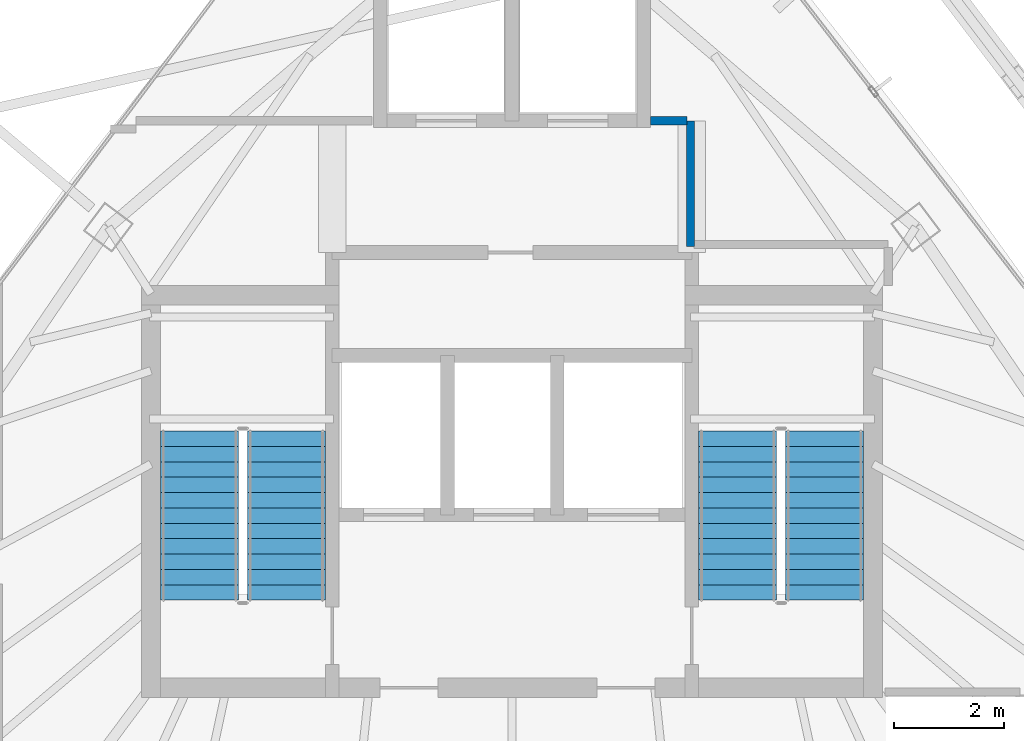
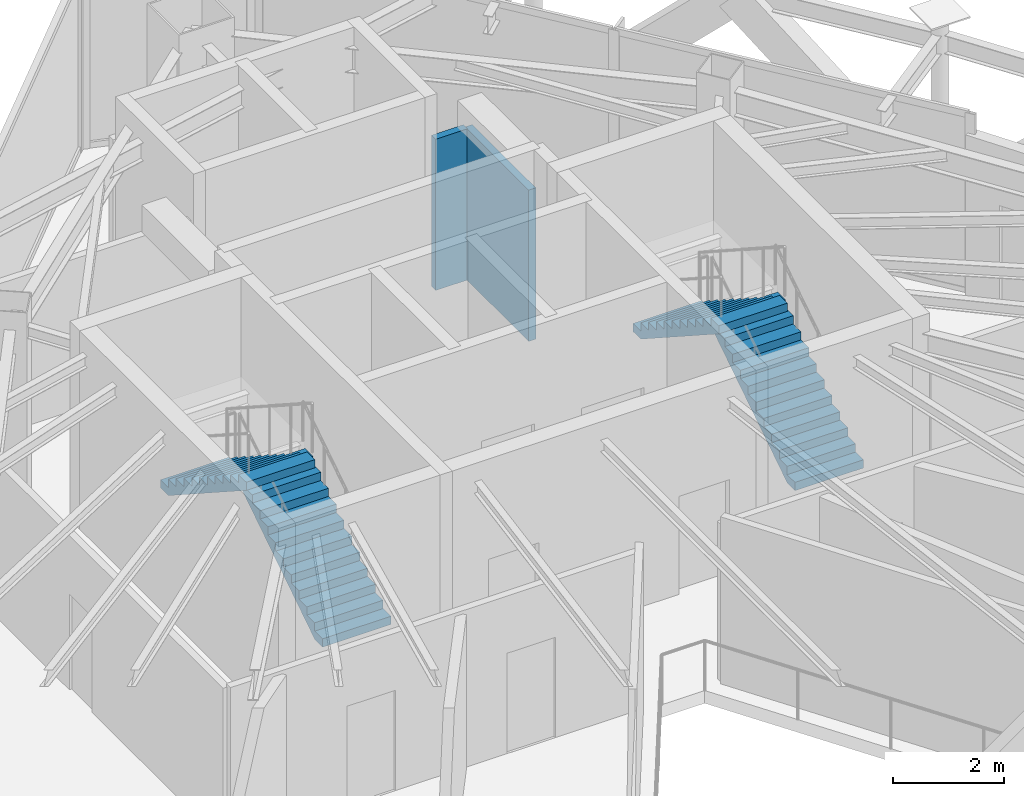
# One storey, part 20 of 22: 4 stair flights, 2 walls, 2 elements without a shape of their own.
"""IFC4 building model written with IfcOpenShell, lengths in metres."""

from ifc_helpers import new_model, si_unit, direction, frame, frame_2d, origin, place, context, subcontext, project, spatial, polyline, rectangle, outline, extrude, material, layer, layer_set, type_object, element, aggregate, save


model = new_model("IFC4")

# Units and contexts
model_context = context("Model", 3, precision=1e-05, world=origin(), true_north=direction((0.0, 1.0)))
body_context = subcontext(model_context, "Body", "Model", "MODEL_VIEW")
ifc_project = project(units=[si_unit("LENGTHUNIT", "METRE"), si_unit("AREAUNIT", "SQUARE_METRE"), si_unit("VOLUMEUNIT", "CUBIC_METRE"), si_unit("PLANEANGLEUNIT", "RADIAN"), si_unit("MASSUNIT", "GRAM", prefix="KILO")], contexts=[model_context])

# Site, building, storey
site_placement = place(None, origin())
site = spatial("IfcSite", under=ifc_project, at=site_placement, CompositionType="ELEMENT")
building_placement = place(site_placement, origin())
building = spatial("IfcBuilding", under=site, at=building_placement, Name="Orvanel Arch Residences", CompositionType="ELEMENT")
storey_placement = place(building_placement, frame((0.0, 0.0, 276.64990234375)))
storey = spatial("IfcBuildingStorey", under=building, at=storey_placement, Name="L79", CompositionType="ELEMENT", Elevation=276.64990234375)

# Walls
ifc_material_1 = material(Name="Fire-rated plasterboard lined steel stud partition", Category="steel")
ifc_layer = layer(ifc_material_1, 0.14990234375)
ifc_layer_set = layer_set([ifc_layer], Name="Fire-rated plasterboard lined steel stud partition")
wall_type = type_object("IfcWallType", Name="W-COR-150", PredefinedType="PARTITIONING", material=ifc_layer_set)
wall_1_placement = place(storey_placement, frame((36.25, 34.760009765625, 0.0), z_axis=(0.0, 0.0, 1.0), x_axis=(0.0, 1.0, 0.0)))
element("IfcWall", 1, at=wall_1_placement, inside=storey, type_object=wall_type, Name="L79 Passenger Lift Lobby East Closure Wall", PredefinedType="PARTITIONING", context=body_context, shape_type="SweptSolid", body=[
    extrude(rectangle(XDim=2.2900390625, YDim=0.14990234375, at=frame_2d((1.14501953125, 0.0))), origin(), (0.0, 0.0, 1.0), 3.315185546875),
])
wall_2_placement = place(storey_placement, frame((35.52490234375, 37.050048828125, 0.0), z_axis=(0.0, 0.0, 1.0), x_axis=(1.0, 0.0, 0.0)))
element("IfcWall", 2, at=wall_2_placement, inside=storey, type_object=wall_type, Name="L79 Passenger Lift Lobby North-East Wall", PredefinedType="PARTITIONING", context=body_context, shape_type="SweptSolid", body=[
    extrude(rectangle(XDim=0.6650390625, YDim=0.14990234375, at=frame_2d((0.33251953125, 0.0))), origin(), (0.0, 0.0, 1.0), 3.315185546875),
])

# Stair, stair flights
ifc_material_2 = material(Name="Precast concrete N50 (50 MPa)", Category="concrete")
stair_type = type_object("IfcStairType", Name="STR-DOG-181", PredefinedType="USERDEFINED", material=ifc_material_2)
stair_1_placement = place(storey_placement, origin())
stair_1 = element("IfcStair", 3, at=stair_1_placement, inside=storey, type_object=stair_type, Name="L79 Fire-Isolated Core Exit Stair 1", ObjectType="TWO_RETURN_STAIR", PredefinedType="USERDEFINED")
stair_flight_type_1 = type_object("IfcStairFlightType", Name="SFL-C1-181", PredefinedType="STRAIGHT", material=ifc_material_2)
stair_flight_1_placement = place(storey_placement, frame((28.889892578125, 28.320068359375, 0.0), z_axis=(0.0, 0.0, 1.0), x_axis=(0.0, 1.0, 0.0)))
stair_flight_1 = element("IfcStairFlight", 4, at=stair_flight_1_placement, type_object=stair_flight_type_1, Name="ST-1 flight 1", NumberOfRisers=12, NumberOfTreads=11, PredefinedType="STRAIGHT", RiserHeight=0.18125, TreadLength=0.28, context=body_context, shape_type="SweptSolid", body=[
    extrude(outline(polyline([(0.0, 0.0), (0.0, 0.18115234375), (0.280029296875, 0.18115234375), (0.280029296875, 0.362548828125), (0.56005859375, 0.362548828125), (0.56005859375, 0.543701171875), (0.840087890625, 0.543701171875), (0.840087890625, 0.72509765625), (1.1201171875, 0.72509765625), (1.1201171875, 0.90625), (1.39990234375, 0.90625), (1.39990234375, 1.08740234375), (1.679931640625, 1.08740234375), (1.679931640625, 1.268798828125), (1.9599609375, 1.268798828125), (1.9599609375, 1.449951171875), (2.239990234375, 1.449951171875), (2.239990234375, 1.63134765625), (2.52001953125, 1.63134765625), (2.52001953125, 1.8125), (2.800048828125, 1.8125), (2.800048828125, 1.99365234375), (3.080078125, 1.99365234375), (3.080078125, 2.175048828125), (3.080078125, 1.815185546875), (0.27587890625, 0.0), (0.0, 0.0)])), frame((0.0, 0.7099609375, 0.0), z_axis=(0.0, -1.0, 0.0), x_axis=(1.0, 0.0, 0.0)), (0.0, 0.0, 1.0), 1.419921875),
])
stair_flight_2_placement = place(storey_placement, frame((27.31005859375, 31.39990234375, 2.175048828125), z_axis=(0.0, 0.0, 1.0), x_axis=(0.0, -1.0, 0.0)))
stair_flight_2 = element("IfcStairFlight", 5, at=stair_flight_2_placement, type_object=stair_flight_type_1, Name="ST-1 flight 2", NumberOfRisers=12, NumberOfTreads=11, PredefinedType="STRAIGHT", RiserHeight=0.18125, TreadLength=0.28, context=body_context, shape_type="SweptSolid", body=[
    extrude(outline(polyline([(0.0, 0.0), (0.0, 0.18115234375), (0.280029296875, 0.18115234375), (0.280029296875, 0.362548828125), (0.56005859375, 0.362548828125), (0.56005859375, 0.543701171875), (0.840087890625, 0.543701171875), (0.840087890625, 0.72509765625), (1.1201171875, 0.72509765625), (1.1201171875, 0.90625), (1.39990234375, 0.90625), (1.39990234375, 1.08740234375), (1.679931640625, 1.08740234375), (1.679931640625, 1.268798828125), (1.9599609375, 1.268798828125), (1.9599609375, 1.449951171875), (2.239990234375, 1.449951171875), (2.239990234375, 1.63134765625), (2.52001953125, 1.63134765625), (2.52001953125, 1.8125), (2.800048828125, 1.8125), (2.800048828125, 1.99365234375), (3.080078125, 1.99365234375), (3.080078125, 2.175048828125), (3.080078125, 1.815185546875), (0.27587890625, 0.0), (0.0, 0.0)])), frame((0.0, 0.7099609375, 0.0), z_axis=(0.0, -1.0, 0.0), x_axis=(1.0, 0.0, 0.0)), (0.0, 0.0, 1.0), 1.419921875),
])
aggregate(stair_1, [stair_flight_1, stair_flight_2])

stair_2_placement = place(storey_placement, origin())
stair_2 = element("IfcStair", 6, at=stair_2_placement, inside=storey, type_object=stair_type, Name="L79 Fire-Isolated Core Exit Stair 2", ObjectType="TWO_RETURN_STAIR", PredefinedType="USERDEFINED")
stair_flight_type_2 = type_object("IfcStairFlightType", Name="SFL-C2-181", PredefinedType="STRAIGHT", material=ifc_material_2)
stair_flight_3_placement = place(storey_placement, frame((38.68994140625, 28.320068359375, 0.0), z_axis=(0.0, 0.0, 1.0), x_axis=(0.0, 1.0, 0.0)))
stair_flight_3 = element("IfcStairFlight", 7, at=stair_flight_3_placement, type_object=stair_flight_type_2, Name="ST-2 flight 1", NumberOfRisers=12, NumberOfTreads=11, PredefinedType="STRAIGHT", RiserHeight=0.18125, TreadLength=0.28, context=body_context, shape_type="SweptSolid", body=[
    extrude(outline(polyline([(0.0, 0.0), (0.0, 0.18115234375), (0.280029296875, 0.18115234375), (0.280029296875, 0.362548828125), (0.56005859375, 0.362548828125), (0.56005859375, 0.543701171875), (0.840087890625, 0.543701171875), (0.840087890625, 0.72509765625), (1.1201171875, 0.72509765625), (1.1201171875, 0.90625), (1.39990234375, 0.90625), (1.39990234375, 1.08740234375), (1.679931640625, 1.08740234375), (1.679931640625, 1.268798828125), (1.9599609375, 1.268798828125), (1.9599609375, 1.449951171875), (2.239990234375, 1.449951171875), (2.239990234375, 1.63134765625), (2.52001953125, 1.63134765625), (2.52001953125, 1.8125), (2.800048828125, 1.8125), (2.800048828125, 1.99365234375), (3.080078125, 1.99365234375), (3.080078125, 2.175048828125), (3.080078125, 1.815185546875), (0.27587890625, 0.0), (0.0, 0.0)])), frame((0.0, 0.7099609375, 0.0), z_axis=(0.0, -1.0, 0.0), x_axis=(1.0, 0.0, 0.0)), (0.0, 0.0, 1.0), 1.419921875),
])
stair_flight_4_placement = place(storey_placement, frame((37.110107421875, 31.39990234375, 2.175048828125), z_axis=(0.0, 0.0, 1.0), x_axis=(0.0, -1.0, 0.0)))
stair_flight_4 = element("IfcStairFlight", 8, at=stair_flight_4_placement, type_object=stair_flight_type_2, Name="ST-2 flight 2", NumberOfRisers=12, NumberOfTreads=11, PredefinedType="STRAIGHT", RiserHeight=0.18125, TreadLength=0.28, context=body_context, shape_type="SweptSolid", body=[
    extrude(outline(polyline([(0.0, 0.0), (0.0, 0.18115234375), (0.280029296875, 0.18115234375), (0.280029296875, 0.362548828125), (0.56005859375, 0.362548828125), (0.56005859375, 0.543701171875), (0.840087890625, 0.543701171875), (0.840087890625, 0.72509765625), (1.1201171875, 0.72509765625), (1.1201171875, 0.90625), (1.39990234375, 0.90625), (1.39990234375, 1.08740234375), (1.679931640625, 1.08740234375), (1.679931640625, 1.268798828125), (1.9599609375, 1.268798828125), (1.9599609375, 1.449951171875), (2.239990234375, 1.449951171875), (2.239990234375, 1.63134765625), (2.52001953125, 1.63134765625), (2.52001953125, 1.8125), (2.800048828125, 1.8125), (2.800048828125, 1.99365234375), (3.080078125, 1.99365234375), (3.080078125, 2.175048828125), (3.080078125, 1.815185546875), (0.27587890625, 0.0), (0.0, 0.0)])), frame((0.0, 0.7099609375, 0.0), z_axis=(0.0, -1.0, 0.0), x_axis=(1.0, 0.0, 0.0)), (0.0, 0.0, 1.0), 1.419921875),
])
aggregate(stair_2, [stair_flight_3, stair_flight_4])

save(model, "model.ifc")
